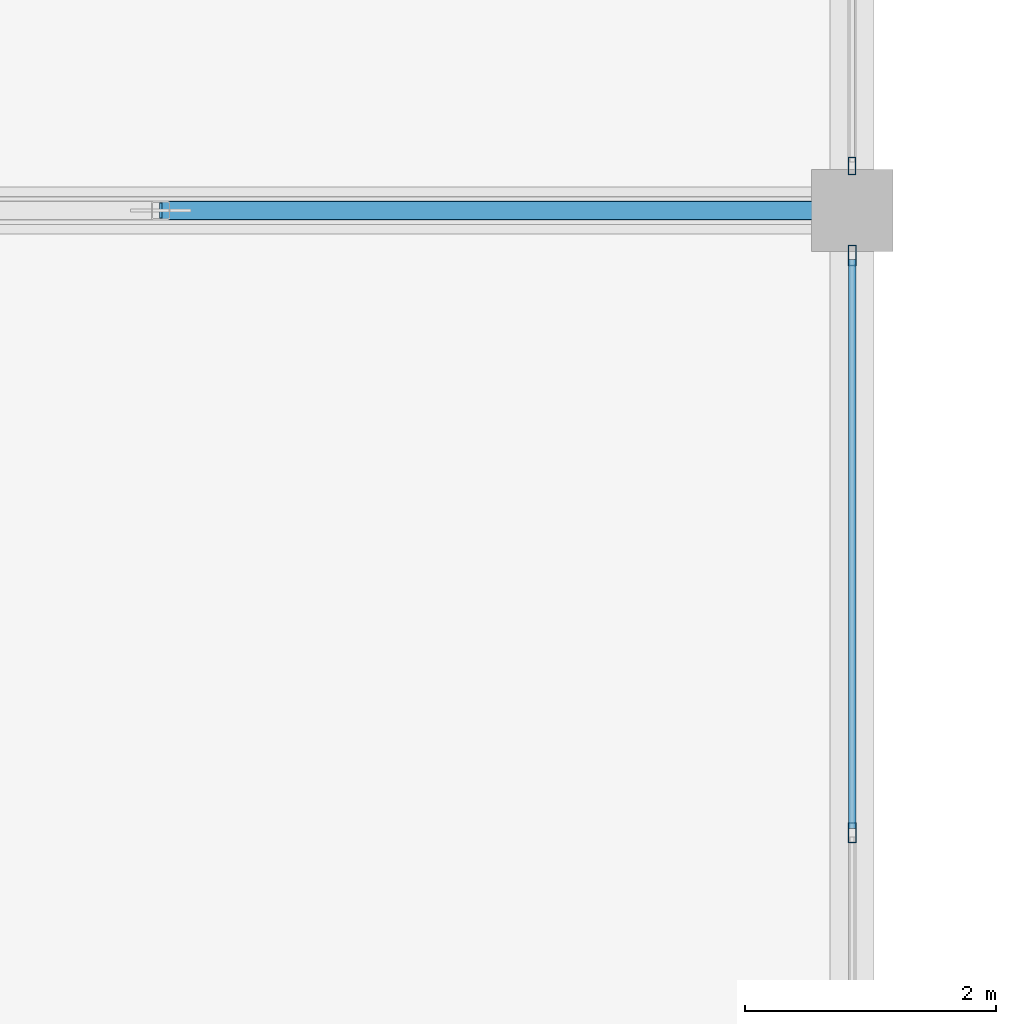
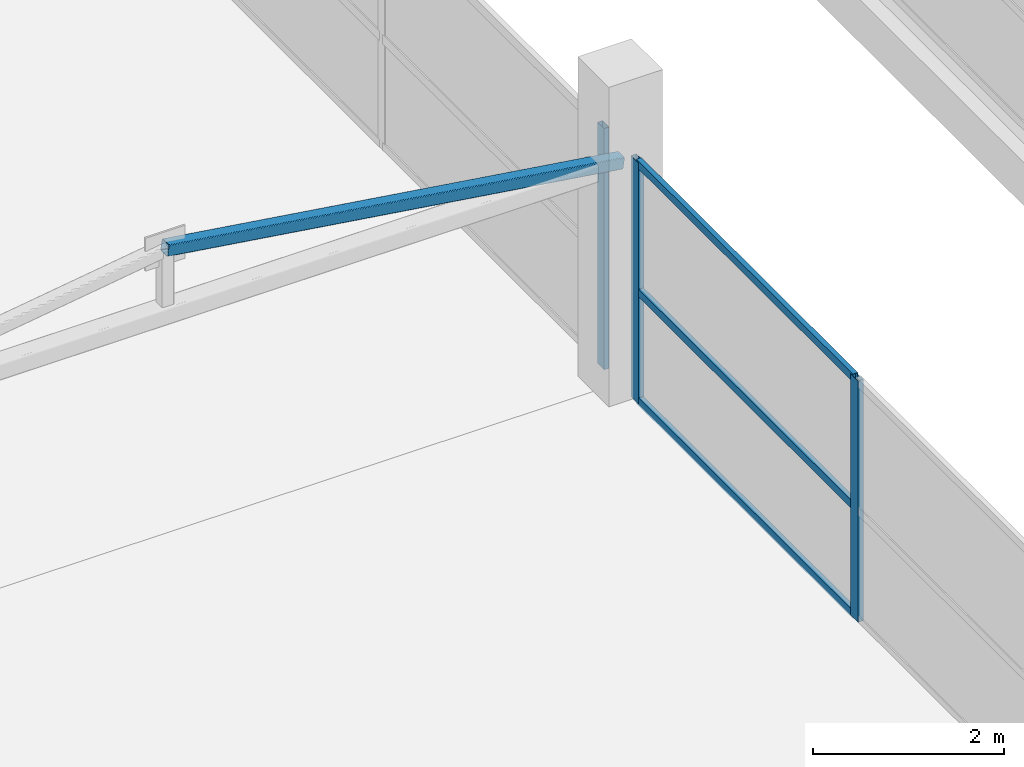
# One storey, part 26 of 70: 7 members, 2 elements without a shape of their own.
"""IFC4 building model written with IfcOpenShell, lengths in metres."""

import ifcopenshell
import ifcopenshell.guid

model = None  # the IFC model being written
_history = None  # IfcOwnerHistory: only IFC2X3 demands one
_inside = {}  # id of a spatial element -> (the spatial element, [elements in it])
_under = {}  # id of a project, library or spatial element -> (it, [spatial elements below it])
_declared = {}  # id of a project -> (the project, [libraries it declares])
_typed = {}  # id of a type object -> (the type object, [elements of that type])
_made_of = {}  # id of a material, layer set ... -> (it, [elements and type objects made of it])


def new_model(schema):
    """Start an empty IFC model of exactly this schema.

    Asked for "IFC4X3", IfcOpenShell would pick the latest addendum, in which some entities
    have other attributes; the version numbers below select the first issue.
    IFC2X3 requires an IfcOwnerHistory on every rooted entity: one is made here for all.
    """
    global model, _history
    if schema == "IFC4X3":
        model = ifcopenshell.file(schema_version=(4, 3, 0, 0))
    else:
        model = ifcopenshell.file(schema=schema)
    _inside.clear()
    _under.clear()
    _declared.clear()
    _typed.clear()
    _made_of.clear()
    _history = None
    if model.schema == "IFC2X3":
        org = make("IfcOrganization", Name="unknown")
        user = make(
            "IfcPersonAndOrganization",
            ThePerson=make("IfcPerson", FamilyName="unknown"),
            TheOrganization=org,
        )
        app = make(
            "IfcApplication",
            ApplicationDeveloper=org,
            Version="unknown",
            ApplicationFullName="unknown",
            ApplicationIdentifier="unknown",
        )
        _history = make(
            "IfcOwnerHistory",
            OwningUser=user,
            OwningApplication=app,
            ChangeAction="ADDED",
            CreationDate=0,
        )
    return model


def make(cls, **values):
    """One entity of the class cls with the attributes given. An attribute that is None is left unset."""
    return model.create_entity(
        cls, **{name: value for name, value in values.items() if value is not None}
    )


def rooted(cls, **values):
    """An entity with a GlobalId (a new one), such as an element, a storey or a relation."""
    return make(cls, GlobalId=ifcopenshell.guid.new(), OwnerHistory=_history, **values)


def si_unit(unit_type, name, prefix=None):
    """IfcSIUnit, for example si_unit("LENGTHUNIT", "METRE", prefix="MILLI")."""
    return make("IfcSIUnit", UnitType=unit_type, Prefix=prefix, Name=name)


def assignment(units):
    """IfcUnitAssignment: the units of a project."""
    return None if units is None else make("IfcUnitAssignment", Units=units)


def point(xyz):
    """IfcCartesianPoint."""
    return None if xyz is None else make("IfcCartesianPoint", Coordinates=xyz)


def direction(xyz):
    """IfcDirection."""
    return None if xyz is None else make("IfcDirection", DirectionRatios=xyz)


def frame(location, z_axis=None, x_axis=None):
    """IfcAxis2Placement3D, a coordinate frame: its origin and axes. An axis left out is left unset."""
    return make(
        "IfcAxis2Placement3D",
        Location=point(location),
        Axis=direction(z_axis),
        RefDirection=direction(x_axis),
    )


def frame_2d(location, x_axis=None):
    """IfcAxis2Placement2D, a coordinate frame in the plane: its origin and x axis."""
    return make(
        "IfcAxis2Placement2D", Location=point(location), RefDirection=direction(x_axis)
    )


def origin():
    """The frame at (0, 0, 0) with its axes left unset."""
    return frame((0.0, 0.0, 0.0))


def origin_2d():
    """The frame at (0, 0) in the plane with its x axis left unset."""
    return frame_2d((0.0, 0.0))


def place(relative_to, where):
    """IfcLocalPlacement: puts the frame where relative to a parent placement (None: the world)."""
    return make(
        "IfcLocalPlacement", PlacementRelTo=relative_to, RelativePlacement=where
    )


def context(
    kind, dimensions, precision=None, world=None, true_north=None, identifier=None
):
    """IfcGeometricRepresentationContext, for example the 3D "Model" context."""
    return make(
        "IfcGeometricRepresentationContext",
        ContextIdentifier=identifier,
        ContextType=kind,
        CoordinateSpaceDimension=dimensions,
        Precision=precision,
        WorldCoordinateSystem=world,
        TrueNorth=true_north,
    )


def subcontext(parent, identifier, kind, view, scale=None):
    """IfcGeometricRepresentationSubContext, for example "Body" below "Model"."""
    return make(
        "IfcGeometricRepresentationSubContext",
        ContextIdentifier=identifier,
        ContextType=kind,
        ParentContext=parent,
        TargetScale=scale,
        TargetView=view,
    )


def project(units=None, contexts=None):
    """IfcProject with its units and contexts."""
    return rooted(
        "IfcProject",
        Name="project",
        RepresentationContexts=contexts,
        UnitsInContext=assignment(units),
    )


def spatial(cls, under=None, at=None, **own):
    """A site, building, storey or space (cls), placed at a placement, below another one or the project."""
    s = rooted(cls, ObjectPlacement=at, **own)
    if under is not None:
        _under.setdefault(under.id(), (under, []))[1].append(s)
    return s


def profile(cls, at=None, kind="AREA", **sizes):
    """A parametric profile (cls). Its sizes go by their IFC names, for example OverallWidth=200.0."""
    return make(cls, ProfileType=kind, Position=at, **sizes)


def hollow_rectangle(**sizes):
    """IfcRectangleHollowProfileDef."""
    return profile("IfcRectangleHollowProfileDef", **sizes)


def extrude(swept, where, along, depth):
    """IfcExtrudedAreaSolid: the profile swept, set in the frame where, extruded along a direction by depth."""
    return make(
        "IfcExtrudedAreaSolid",
        SweptArea=swept,
        Position=where,
        ExtrudedDirection=direction(along),
        Depth=depth,
    )


def shape(context_of_items, identifier, shape_type, items):
    """IfcShapeRepresentation: the items that make up one representation, for example the "Body"."""
    return make(
        "IfcShapeRepresentation",
        ContextOfItems=context_of_items,
        RepresentationIdentifier=identifier,
        RepresentationType=shape_type,
        Items=items,
    )


def material(Name=None, Category=None):
    """IfcMaterial."""
    return make("IfcMaterial", Name=Name, Category=Category)


def layer(
    of_material, thickness, ventilated=None, Name=None, Category=None, Priority=None
):
    """IfcMaterialLayer: one layer of a wall or slab, of a material (None: an air gap)."""
    return make(
        "IfcMaterialLayer",
        Material=of_material,
        LayerThickness=thickness,
        IsVentilated=ventilated,
        Name=Name,
        Category=Category,
        Priority=Priority,
    )


def layer_set(layers, Name=None):
    """IfcMaterialLayerSet."""
    return make("IfcMaterialLayerSet", MaterialLayers=layers, LayerSetName=Name)


def material_profile(
    of_material, cross_section, Name=None, Category=None, Priority=None
):
    """IfcMaterialProfile: a cross section and its material."""
    return make(
        "IfcMaterialProfile",
        Name=Name,
        Material=of_material,
        Profile=cross_section,
        Priority=Priority,
        Category=Category,
    )


def profile_set(profiles, Name=None, composite=None):
    """IfcMaterialProfileSet."""
    return make(
        "IfcMaterialProfileSet",
        Name=Name,
        MaterialProfiles=profiles,
        CompositeProfile=composite,
    )


def made_of(thing, what):
    """Note that an element or type object is made of a material, layer set ...; save() writes the relation."""
    if what is not None:
        _made_of.setdefault(what.id(), (what, []))[1].append(thing)
    return thing


def type_object(cls, material=None, **own):
    """A type object (cls), such as IfcWallType, which elements share."""
    return made_of(rooted(cls, **own), material)


def element(
    cls,
    number,
    at=None,
    inside=None,
    cuts=None,
    type_object=None,
    material=None,
    context=None,
    identifier="Body",
    shape_type=None,
    held_by="IfcProductDefinitionShape",
    body=None,
    shapes=None,
    **own,
):
    """One element of the class cls, such as IfcWall. Its Tag is "e" and its number.

    at: its placement. inside: the storey or other place that contains it. cuts: it is an
    opening in that element (IfcRelVoidsElement). A single representation is given by context,
    identifier, shape_type and body (its items); several are given by shapes. held_by: the class
    of the entity that holds the representations. save() writes the other relations.
    """
    e = rooted(cls, Tag="e%d" % number, ObjectPlacement=at, **own)
    if body is not None:
        shapes = [shape(context, identifier, shape_type, body)]
    if shapes is not None:
        e.Representation = make(held_by, Representations=shapes)
    if inside is not None:
        _inside.setdefault(inside.id(), (inside, []))[1].append(e)
    if cuts is not None:
        rooted(
            "IfcRelVoidsElement", RelatingBuildingElement=cuts, RelatedOpeningElement=e
        )
    if type_object is not None:
        _typed.setdefault(type_object.id(), (type_object, []))[1].append(e)
    return made_of(e, material)


def aggregate(whole, parts):
    """IfcRelAggregates: a whole, such as a stair, and the parts it consists of."""
    return rooted("IfcRelAggregates", RelatingObject=whole, RelatedObjects=parts)


def save(model, path):
    """Write the relations noted so far, then the file.

    IfcRelAggregates (storeys below a building ...), IfcRelContainedInSpatialStructure (elements
    in a storey), IfcRelDefinesByType, IfcRelAssociatesMaterial and IfcRelDeclares: one each for
    every whole, place, type object, material and project.
    """
    for whole, parts in _under.values():
        aggregate(whole, parts)
    for where, things in _inside.values():
        rooted(
            "IfcRelContainedInSpatialStructure",
            RelatedElements=things,
            RelatingStructure=where,
        )
    for kind, things in _typed.values():
        rooted("IfcRelDefinesByType", RelatedObjects=things, RelatingType=kind)
    for what, things in _made_of.values():
        rooted("IfcRelAssociatesMaterial", RelatedObjects=things, RelatingMaterial=what)
    for by, libraries in _declared.values():
        rooted("IfcRelDeclares", RelatingContext=by, RelatedDefinitions=libraries)
    model.write(path)


model = new_model("IFC4")

# Units and contexts
model_context = context("Model", 3, precision=1e-05, world=origin(), true_north=direction((0.0, 1.0)))
body_context = subcontext(model_context, "Body", "Model", "MODEL_VIEW")
ifc_project = project(units=[si_unit("LENGTHUNIT", "METRE"), si_unit("AREAUNIT", "SQUARE_METRE"), si_unit("VOLUMEUNIT", "CUBIC_METRE"), si_unit("PLANEANGLEUNIT", "RADIAN"), si_unit("MASSUNIT", "GRAM", prefix="KILO")], contexts=[model_context])

# Site, building, storey
site_placement = place(None, origin())
site = spatial("IfcSite", under=ifc_project, at=site_placement, CompositionType="ELEMENT")
building_placement = place(site_placement, origin())
building = spatial("IfcBuilding", under=site, at=building_placement, Name="Sillaruma Civic Art Gallery", CompositionType="ELEMENT")
storey_placement = place(building_placement, frame((0.0, 0.0, 66.300048828125)))
storey = spatial("IfcBuildingStorey", under=building, at=storey_placement, Name="L13", CompositionType="ELEMENT", Elevation=66.300048828125)

# Member
ifc_material_1 = material(Name="Structural Steel ASTM A500 Gr.C", Category="steel")
ifc_material_profile_1 = material_profile(ifc_material_1, hollow_rectangle(XDim=0.14990234375, YDim=0.14990234375, WallThickness=0.010009765625, InnerFilletRadius=0.010009765625, OuterFilletRadius=0.02001953125, at=origin_2d()), Name="HSS150x150x10")
ifc_profile_set_1 = profile_set([ifc_material_profile_1], Name="Structural Steel ASTM A500 Gr.C")
member_type_1 = type_object("IfcMemberType", Name="MEM-BRACE-HSS150x150x10", PredefinedType="BRACE", material=ifc_profile_set_1)
member_1_placement = place(storey_placement, frame((86.5, 59.39990234375, 3.64794921875), z_axis=(0.989377720719, 0.0, -0.145367553959), x_axis=(0.0, 1.0, 0.0)))
element("IfcMember", 1, at=member_1_placement, inside=storey, type_object=member_type_1, Name="Warren Truss Diagonal TR-L13-2-D4", PredefinedType="BRACE", context=body_context, shape_type="SweptSolid", body=[
    extrude(hollow_rectangle(XDim=0.14990234375, YDim=0.14990234375, WallThickness=0.010009765625, InnerFilletRadius=0.010009765625, OuterFilletRadius=0.02001953125, at=origin_2d()), origin(), (0.0, 0.0, 1.0), 5.55908203125),
])

# Curtain wall, member
ifc_material_2 = material(Name="Thermally Broken Extruded Aluminium 6063-T6", Category="aluminium")
ifc_layer_1 = layer(ifc_material_2, 0.139892578125, Name="Thermally Broken Extruded Aluminium 6063-T6")
ifc_layer_set_1 = layer_set([ifc_layer_1], Name="Thermally Broken Extruded Aluminium 6063-T6")
curtain_wall_type_1 = type_object("IfcCurtainWallType", Name="CW-UNI-105", PredefinedType="NOTDEFINED", material=ifc_layer_set_1)
curtain_wall_1_placement = place(storey_placement, origin())
curtain_wall_1 = element("IfcCurtainWall", 2, at=curtain_wall_1_placement, inside=storey, type_object=curtain_wall_type_1, Name="Unitised Curtain Wall CW-105 (CW-L13-WBE-5)", PredefinedType="NOTDEFINED")
ifc_material_profile_2 = material_profile(ifc_material_2, hollow_rectangle(XDim=0.06005859375, YDim=0.139892578125, WallThickness=0.00341796875, at=origin_2d()), Name="CWM60x140")
ifc_profile_set_2 = profile_set([ifc_material_profile_2], Name="Thermally Broken Extruded Aluminium 6063-T6")
member_type_2 = type_object("IfcMemberType", Name="MEM-MUL-CWM60x140", PredefinedType="MULLION", material=ifc_profile_set_2)
member_2_placement = place(storey_placement, frame((92.0, 59.7548828125, 0.0), z_axis=(0.0, 0.0, 1.0), x_axis=(-1.0, 0.0, 0.0)))
member_2 = element("IfcMember", 3, at=member_2_placement, type_object=member_type_2, Name="CW-105 mullion 1", PredefinedType="MULLION", context=body_context, shape_type="SweptSolid", body=[
    extrude(hollow_rectangle(XDim=0.06005859375, YDim=0.139892578125, WallThickness=0.00341796875, at=origin_2d()), origin(), (0.0, 0.0, 1.0), 3.079833984375),
])
aggregate(curtain_wall_1, [member_2])

# Curtain wall, members
ifc_layer_2 = layer(ifc_material_2, 0.159912109375, Name="Thermally Broken Extruded Aluminium 6063-T6")
ifc_layer_set_2 = layer_set([ifc_layer_2], Name="Thermally Broken Extruded Aluminium 6063-T6")
curtain_wall_type_2 = type_object("IfcCurtainWallType", Name="CW-UNI-94", PredefinedType="NOTDEFINED", material=ifc_layer_set_2)
curtain_wall_2_placement = place(storey_placement, origin())
curtain_wall_2 = element("IfcCurtainWall", 4, at=curtain_wall_2_placement, inside=storey, type_object=curtain_wall_type_2, Name="Unitised Curtain Wall CW-94 (CW-L13-WBE-4)", PredefinedType="NOTDEFINED")
ifc_material_profile_3 = material_profile(ifc_material_2, hollow_rectangle(XDim=0.06494140625, YDim=0.159912109375, WallThickness=0.00390625, at=origin_2d()), Name="CWM65x160")
ifc_profile_set_3 = profile_set([ifc_material_profile_3], Name="Thermally Broken Extruded Aluminium 6063-T6")
member_type_3 = type_object("IfcMemberType", Name="MEM-MUL-CWM65x160", PredefinedType="MULLION", material=ifc_profile_set_3)
member_3_placement = place(storey_placement, frame((92.0, 54.449951171875, 0.0), z_axis=(0.0, 0.0, 1.0), x_axis=(-1.0, 0.0, 0.0)))
member_3 = element("IfcMember", 5, at=member_3_placement, type_object=member_type_3, Name="CW-94 mullion 2", PredefinedType="MULLION", context=body_context, shape_type="SweptSolid", body=[
    extrude(hollow_rectangle(XDim=0.06494140625, YDim=0.159912109375, WallThickness=0.00390625, at=origin_2d()), origin(), (0.0, 0.0, 1.0), 3.079833984375),
])
member_4_placement = place(storey_placement, frame((92.0, 59.04248046875, 0.0), z_axis=(0.0, 0.0, 1.0), x_axis=(-1.0, 0.0, 0.0)))
member_4 = element("IfcMember", 6, at=member_4_placement, type_object=member_type_3, Name="CW-94 mullion 3", PredefinedType="MULLION", context=body_context, shape_type="SweptSolid", body=[
    extrude(hollow_rectangle(XDim=0.06494140625, YDim=0.159912109375, WallThickness=0.00390625, at=origin_2d()), origin(), (0.0, 0.0, 1.0), 3.079833984375),
])
ifc_material_profile_4 = material_profile(ifc_material_2, hollow_rectangle(XDim=0.06005859375, YDim=0.10009765625, WallThickness=0.003173828125, at=origin_2d()), Name="CWT60x100")
ifc_profile_set_4 = profile_set([ifc_material_profile_4], Name="Thermally Broken Extruded Aluminium 6063-T6")
member_type_4 = type_object("IfcMemberType", Name="MEM-TRN-CWT60x100", PredefinedType="USERDEFINED", material=ifc_profile_set_4)
member_5_placement = place(storey_placement, frame((92.0, 54.482421875, 0.030029296875), z_axis=(0.0, 1.0, 0.0), x_axis=(-1.0, 0.0, 0.0)))
member_5 = element("IfcMember", 7, at=member_5_placement, type_object=member_type_4, Name="CW-94 transom 2.1", ObjectType="TRANSOM", PredefinedType="USERDEFINED", context=body_context, shape_type="SweptSolid", body=[
    extrude(hollow_rectangle(XDim=0.06005859375, YDim=0.10009765625, WallThickness=0.003173828125, at=origin_2d()), origin(), (0.0, 0.0, 1.0), 4.527587890625),
])
member_6_placement = place(storey_placement, frame((92.0, 54.482421875, 1.416748046875), z_axis=(0.0, 1.0, 0.0), x_axis=(-1.0, 0.0, 0.0)))
member_6 = element("IfcMember", 8, at=member_6_placement, type_object=member_type_4, Name="CW-94 transom 2.2", ObjectType="TRANSOM", PredefinedType="USERDEFINED", context=body_context, shape_type="SweptSolid", body=[
    extrude(hollow_rectangle(XDim=0.06005859375, YDim=0.10009765625, WallThickness=0.003173828125, at=origin_2d()), origin(), (0.0, 0.0, 1.0), 4.527587890625),
])
member_7_placement = place(storey_placement, frame((92.0, 54.482421875, 3.050048828125), z_axis=(0.0, 1.0, 0.0), x_axis=(-1.0, 0.0, 0.0)))
member_7 = element("IfcMember", 9, at=member_7_placement, type_object=member_type_4, Name="CW-94 transom 2.3", ObjectType="TRANSOM", PredefinedType="USERDEFINED", context=body_context, shape_type="SweptSolid", body=[
    extrude(hollow_rectangle(XDim=0.06005859375, YDim=0.10009765625, WallThickness=0.003173828125, at=origin_2d()), origin(), (0.0, 0.0, 1.0), 4.527587890625),
])
aggregate(curtain_wall_2, [member_3, member_4, member_5, member_6, member_7])

save(model, "model.ifc")
